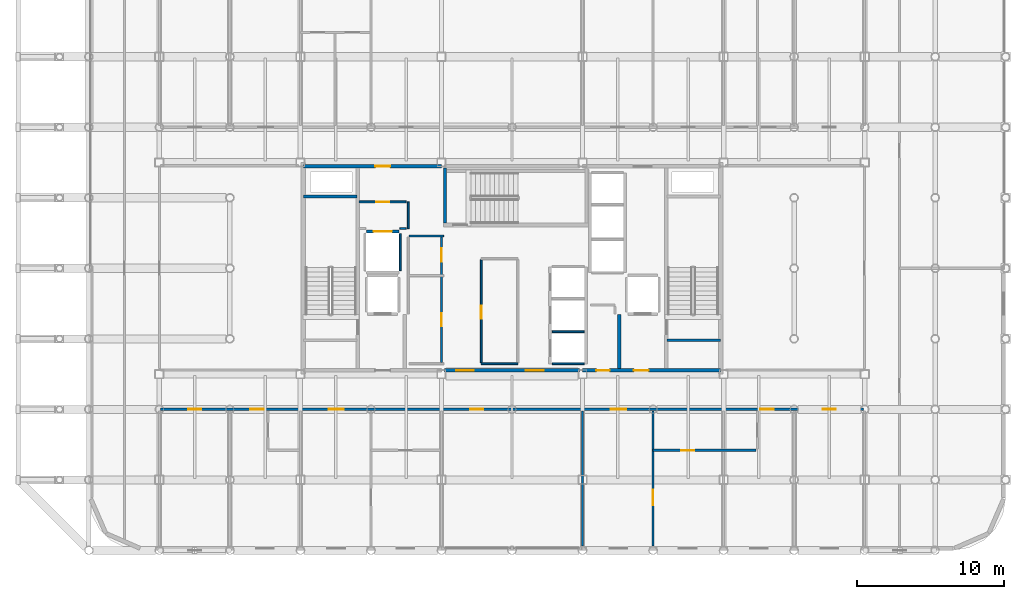
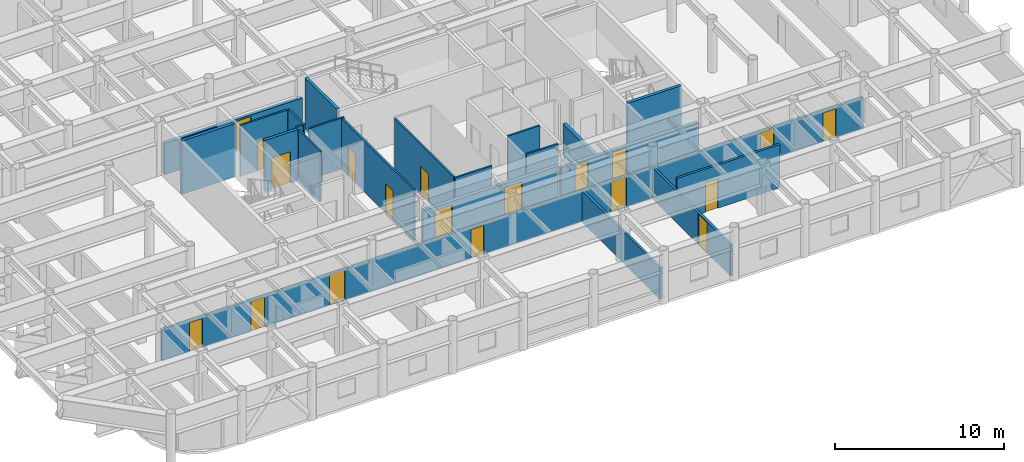
# One storey, part 23 of 27: 22 walls, 19 doors, 19 openings.
"""IFC4 building model written with IfcOpenShell, lengths in metres."""

from ifc_helpers import new_model, si_unit, direction, frame, frame_2d, origin, place, context, subcontext, project, spatial, rectangle, extrude, material, layer, layer_set, type_object, element, fill, save


model = new_model("IFC4")

# Units and contexts
model_context = context("Model", 3, precision=1e-05, world=origin(), true_north=direction((0.0, 1.0)))
body_context = subcontext(model_context, "Body", "Model", "MODEL_VIEW")
ifc_project = project(units=[si_unit("LENGTHUNIT", "METRE"), si_unit("AREAUNIT", "SQUARE_METRE"), si_unit("VOLUMEUNIT", "CUBIC_METRE"), si_unit("PLANEANGLEUNIT", "RADIAN"), si_unit("MASSUNIT", "GRAM", prefix="KILO")], contexts=[model_context])

# Site, building, storey
site_placement = place(None, origin())
site = spatial("IfcSite", under=ifc_project, at=site_placement, CompositionType="ELEMENT")
building_placement = place(site_placement, origin())
building = spatial("IfcBuilding", under=site, at=building_placement, Name="Kallvorn Hotel Tower", CompositionType="ELEMENT")
storey_placement = place(building_placement, frame((0.0, 0.0, 245.39990234375)))
storey = spatial("IfcBuildingStorey", under=building, at=storey_placement, Name="L61", CompositionType="ELEMENT", Elevation=245.39990234375)

# Wall, opening, door
ifc_material_1 = material(Name="Fire-rated double-layer acoustic gypsum drywall EI 60")
ifc_layer_1 = layer(ifc_material_1, 0.159912109375)
ifc_layer_set_1 = layer_set([ifc_layer_1], Name="WL_DEMISE_160")
wall_type_1 = type_object("IfcWallType", Name="WL_DEMISE_160", PredefinedType="PARTITIONING", material=ifc_layer_set_1)
wall_1_placement = place(storey_placement, frame((9.60009765625, -12.39501953125, 0.0), z_axis=(0.0, 0.0, 1.0), x_axis=(1.0, 0.0, 0.0)))
wall_1 = element("IfcWall", 1, at=wall_1_placement, inside=storey, type_object=wall_type_1, Name="L61 Suite 6103 Executive Bedroom Partition", PredefinedType="PARTITIONING", context=body_context, shape_type="SweptSolid", body=[
    extrude(rectangle(XDim=7.010009765625, YDim=0.159912109375, at=frame_2d((3.5048828125, 0.0))), origin(), (0.0, 0.0, 1.0), 3.1201171875),
])
opening_1_placement = place(wall_1_placement, frame((1.929931640625, 0.0, 0.0)))
opening_1 = element("IfcOpeningElement", 2, at=opening_1_placement, cuts=wall_1, Name="Opening BD-I", PredefinedType="OPENING", context=body_context, shape_type="SweptSolid", body=[
    extrude(rectangle(XDim=0.860107421875, YDim=2.10009765625, at=frame_2d((0.43017578125, 1.050048828125))), frame((0.0, 0.094970703125, 0.0), z_axis=(0.0, -1.0, 0.0), x_axis=(1.0, 0.0, 0.0)), (0.0, 0.0, 1.0), 0.18994140625),
])
ifc_material_2 = material(Name="Solid-core walnut veneer fire-rated timber door leaf", Category="wood")
door_type_1 = type_object("IfcDoorType", Name="DR_BATH_860x2100", OperationType="NOTDEFINED", PredefinedType="DOOR", material=ifc_material_2)
door_1_placement = place(opening_1_placement, origin())
door_1 = element("IfcDoor", 3, at=door_1_placement, inside=storey, type_object=door_type_1, Name="L61 Suite 6103 En-Suite Bathroom Door", OperationType="SINGLE_SWING_LEFT", OverallHeight=2.10009765625, OverallWidth=0.860107421875, PredefinedType="DOOR", context=body_context, shape_type="SweptSolid", body=[
    extrude(rectangle(XDim=0.860107421875, YDim=2.10009765625, at=frame_2d((0.43017578125, 1.050048828125))), frame((0.0, 0.02490234375, 0.0), z_axis=(0.0, -1.0, 0.0), x_axis=(1.0, 0.0, 0.0)), (0.0, 0.0, 1.0), 0.050048828125),
])
fill(opening_1, door_1)

# Wall, openings, doors
wall_2_placement = place(storey_placement, frame((-23.919921875, -9.60009765625, 0.0), z_axis=(0.0, 0.0, 1.0), x_axis=(1.0, 0.0, 0.0)))
wall_2 = element("IfcWall", 4, at=wall_2_placement, inside=storey, type_object=wall_type_1, Name="L61 Suite 6101 Superior Twin Room Partition", PredefinedType="PARTITIONING", context=body_context, shape_type="SweptSolid", body=[
    extrude(rectangle(XDim=47.83984375, YDim=0.159912109375, at=frame_2d((23.919921875, 0.0))), origin(), (0.0, 0.0, 1.0), 2.27001953125),
])
opening_2_placement = place(wall_2_placement, frame((1.8701171875, 0.0, 0.0)))
opening_2 = element("IfcOpeningElement", 5, at=opening_2_placement, cuts=wall_2, Name="Opening SVD1", PredefinedType="OPENING", context=body_context, shape_type="SweptSolid", body=[
    extrude(rectangle(XDim=0.89990234375, YDim=2.10009765625, at=frame_2d((0.449951171875, 1.050048828125))), frame((0.0, 0.094970703125, 0.0), z_axis=(0.0, -1.0, 0.0), x_axis=(1.0, 0.0, 0.0)), (0.0, 0.0, 1.0), 0.18994140625),
])
opening_3_placement = place(wall_2_placement, frame((45.070068359375, 0.0, 0.0)))
opening_3 = element("IfcOpeningElement", 6, at=opening_3_placement, cuts=wall_2, Name="Opening SVD1", PredefinedType="OPENING", context=body_context, shape_type="SweptSolid", body=[
    extrude(rectangle(XDim=0.89990234375, YDim=2.10009765625, at=frame_2d((0.449951171875, 1.050048828125))), frame((0.0, 0.094970703125, 0.0), z_axis=(0.0, -1.0, 0.0), x_axis=(1.0, 0.0, 0.0)), (0.0, 0.0, 1.0), 0.18994140625),
])
opening_4_placement = place(wall_2_placement, frame((6.090087890625, 0.0, 0.0)))
opening_4 = element("IfcOpeningElement", 7, at=opening_4_placement, cuts=wall_2, Name="Opening GD1", PredefinedType="OPENING", context=body_context, shape_type="SweptSolid", body=[
    extrude(rectangle(XDim=0.919921875, YDim=2.14990234375, at=frame_2d((0.4599609375, 1.074951171875))), frame((0.0, 0.094970703125, 0.0), z_axis=(0.0, -1.0, 0.0), x_axis=(1.0, 0.0, 0.0)), (0.0, 0.0, 1.0), 0.18994140625),
])
opening_5_placement = place(wall_2_placement, frame((11.43505859375, 0.0, 0.0)))
opening_5 = element("IfcOpeningElement", 8, at=opening_5_placement, cuts=wall_2, Name="Opening GD2", PredefinedType="OPENING", context=body_context, shape_type="SweptSolid", body=[
    extrude(rectangle(XDim=1.050048828125, YDim=2.199951171875, at=frame_2d((0.52490234375, 1.10009765625))), frame((0.0, 0.094970703125, 0.0), z_axis=(0.0, -1.0, 0.0), x_axis=(1.0, 0.0, 0.0)), (0.0, 0.0, 1.0), 0.18994140625),
])
opening_6_placement = place(wall_2_placement, frame((21.070068359375, 0.0, 0.0)))
opening_6 = element("IfcOpeningElement", 9, at=opening_6_placement, cuts=wall_2, Name="Opening SVD1", PredefinedType="OPENING", context=body_context, shape_type="SweptSolid", body=[
    extrude(rectangle(XDim=0.89990234375, YDim=2.10009765625, at=frame_2d((0.449951171875, 1.050048828125))), frame((0.0, 0.094970703125, 0.0), z_axis=(0.0, -1.0, 0.0), x_axis=(1.0, 0.0, 0.0)), (0.0, 0.0, 1.0), 0.18994140625),
])
opening_7_placement = place(wall_2_placement, frame((30.635009765625, 0.0, 0.0)))
opening_7 = element("IfcOpeningElement", 10, at=opening_7_placement, cuts=wall_2, Name="Opening GD2", PredefinedType="OPENING", context=body_context, shape_type="SweptSolid", body=[
    extrude(rectangle(XDim=1.050048828125, YDim=2.199951171875, at=frame_2d((0.52490234375, 1.10009765625))), frame((0.0, 0.094970703125, 0.0), z_axis=(0.0, -1.0, 0.0), x_axis=(1.0, 0.0, 0.0)), (0.0, 0.0, 1.0), 0.18994140625),
])
opening_8_placement = place(wall_2_placement, frame((40.830078125, 0.0, 0.0)))
opening_8 = element("IfcOpeningElement", 11, at=opening_8_placement, cuts=wall_2, Name="Opening GD1", PredefinedType="OPENING", context=body_context, shape_type="SweptSolid", body=[
    extrude(rectangle(XDim=0.919921875, YDim=2.14990234375, at=frame_2d((0.4599609375, 1.074951171875))), frame((0.0, 0.094970703125, 0.0), z_axis=(0.0, -1.0, 0.0), x_axis=(1.0, 0.0, 0.0)), (0.0, 0.0, 1.0), 0.18994140625),
])
ifc_material_3 = material(Name="Solid-core walnut veneer fire-rated timber door leaf", Category="wood")
door_type_2 = type_object("IfcDoorType", Name="DR_GUEST_920x2150", OperationType="NOTDEFINED", PredefinedType="DOOR", material=ifc_material_3)
door_2_placement = place(opening_4_placement, origin())
door_2 = element("IfcDoor", 12, at=door_2_placement, inside=storey, type_object=door_type_2, Name="L61 Suite 6101 Superior Twin Room Door", OperationType="SINGLE_SWING_LEFT", OverallHeight=2.14990234375, OverallWidth=0.919921875, PredefinedType="DOOR", context=body_context, shape_type="SweptSolid", body=[
    extrude(rectangle(XDim=0.919921875, YDim=2.14990234375, at=frame_2d((0.4599609375, 1.074951171875))), frame((0.0, 0.02490234375, 0.0), z_axis=(0.0, -1.0, 0.0), x_axis=(1.0, 0.0, 0.0)), (0.0, 0.0, 1.0), 0.050048828125),
])
fill(opening_4, door_2)
door_3_placement = place(opening_8_placement, origin())
door_3 = element("IfcDoor", 13, at=door_3_placement, inside=storey, type_object=door_type_2, Name="L61 Suite 6104 Deluxe King Room Door", OperationType="SINGLE_SWING_LEFT", OverallHeight=2.14990234375, OverallWidth=0.919921875, PredefinedType="DOOR", context=body_context, shape_type="SweptSolid", body=[
    extrude(rectangle(XDim=0.919921875, YDim=2.14990234375, at=frame_2d((0.4599609375, 1.074951171875))), frame((0.0, 0.02490234375, 0.0), z_axis=(0.0, -1.0, 0.0), x_axis=(1.0, 0.0, 0.0)), (0.0, 0.0, 1.0), 0.050048828125),
])
fill(opening_8, door_3)
ifc_material_4 = material(Name="Galvanised painted steel fire-rated door assembly", Category="steel")
door_type_3 = type_object("IfcDoorType", Name="DR_SERV_900x2100", OperationType="NOTDEFINED", PredefinedType="DOOR", material=ifc_material_4)
door_4_placement = place(opening_2_placement, origin())
door_4 = element("IfcDoor", 14, at=door_4_placement, inside=storey, type_object=door_type_3, Name="L61 L61 High-Zone South-West Tea Bar Door", OperationType="SINGLE_SWING_RIGHT", OverallHeight=2.10009765625, OverallWidth=0.89990234375, PredefinedType="DOOR", context=body_context, shape_type="SweptSolid", body=[
    extrude(rectangle(XDim=0.89990234375, YDim=2.10009765625, at=frame_2d((0.449951171875, 1.050048828125))), frame((0.0, 0.02490234375, 0.0), z_axis=(0.0, -1.0, 0.0), x_axis=(1.0, 0.0, 0.0)), (0.0, 0.0, 1.0), 0.050048828125),
])
fill(opening_2, door_4)
door_5_placement = place(opening_3_placement, origin())
door_5 = element("IfcDoor", 15, at=door_5_placement, inside=storey, type_object=door_type_3, Name="L61 L61 High-Zone South-East Wine Bar Door", OperationType="SINGLE_SWING_RIGHT", OverallHeight=2.10009765625, OverallWidth=0.89990234375, PredefinedType="DOOR", context=body_context, shape_type="SweptSolid", body=[
    extrude(rectangle(XDim=0.89990234375, YDim=2.10009765625, at=frame_2d((0.449951171875, 1.050048828125))), frame((0.0, 0.02490234375, 0.0), z_axis=(0.0, -1.0, 0.0), x_axis=(1.0, 0.0, 0.0)), (0.0, 0.0, 1.0), 0.050048828125),
])
fill(opening_3, door_5)
door_6_placement = place(opening_6_placement, origin())
door_6 = element("IfcDoor", 16, at=door_6_placement, inside=storey, type_object=door_type_3, Name="L61 L61 Curated Emerald Craft Retail Boutique 3 Door", OperationType="SINGLE_SWING_LEFT", OverallHeight=2.10009765625, OverallWidth=0.89990234375, PredefinedType="DOOR", context=body_context, shape_type="SweptSolid", body=[
    extrude(rectangle(XDim=0.89990234375, YDim=2.10009765625, at=frame_2d((0.449951171875, 1.050048828125))), frame((0.0, 0.02490234375, 0.0), z_axis=(0.0, -1.0, 0.0), x_axis=(1.0, 0.0, 0.0)), (0.0, 0.0, 1.0), 0.050048828125),
])
fill(opening_6, door_6)
ifc_material_5 = material(Name="Solid-core walnut veneer fire-rated timber door leaf", Category="wood")
door_type_4 = type_object("IfcDoorType", Name="DR_SUITE_1050x2200", OperationType="NOTDEFINED", PredefinedType="DOOR", material=ifc_material_5)
door_7_placement = place(opening_5_placement, origin())
door_7 = element("IfcDoor", 17, at=door_7_placement, inside=storey, type_object=door_type_4, Name="L61 Suite 6102 Executive Living Salon Door", OperationType="SINGLE_SWING_LEFT", OverallHeight=2.199951171875, OverallWidth=1.050048828125, PredefinedType="DOOR", context=body_context, shape_type="SweptSolid", body=[
    extrude(rectangle(XDim=1.050048828125, YDim=2.199951171875, at=frame_2d((0.52490234375, 1.10009765625))), frame((0.0, 0.02490234375, 0.0), z_axis=(0.0, -1.0, 0.0), x_axis=(1.0, 0.0, 0.0)), (0.0, 0.0, 1.0), 0.050048828125),
])
fill(opening_5, door_7)
door_8_placement = place(opening_7_placement, origin())
door_8 = element("IfcDoor", 18, at=door_8_placement, inside=storey, type_object=door_type_4, Name="L61 Suite 6103 Executive Living Salon Door", OperationType="SINGLE_SWING_LEFT", OverallHeight=2.199951171875, OverallWidth=1.050048828125, PredefinedType="DOOR", context=body_context, shape_type="SweptSolid", body=[
    extrude(rectangle(XDim=1.050048828125, YDim=2.199951171875, at=frame_2d((0.52490234375, 1.10009765625))), frame((0.0, 0.02490234375, 0.0), z_axis=(0.0, -1.0, 0.0), x_axis=(1.0, 0.0, 0.0)), (0.0, 0.0, 1.0), 0.050048828125),
])
fill(opening_7, door_8)

# Wall
wall_3_placement = place(storey_placement, frame((4.800048828125, -18.909912109375, 0.0), z_axis=(0.0, 0.0, 1.0), x_axis=(0.0, 1.0, 0.0)))
element("IfcWall", 19, at=wall_3_placement, inside=storey, type_object=wall_type_1, Name="L61 Suite 6103 Executive Living Salon Partition", PredefinedType="PARTITIONING", context=body_context, shape_type="SweptSolid", body=[
    extrude(rectangle(XDim=9.18994140625, YDim=0.159912109375, at=frame_2d((4.594970703125, 0.0))), origin(), (0.0, 0.0, 1.0), 2.27001953125),
])

# Wall, opening, door
wall_4_placement = place(storey_placement, frame((9.60009765625, -18.909912109375, 0.0), z_axis=(0.0, 0.0, 1.0), x_axis=(0.0, 1.0, 0.0)))
wall_4 = element("IfcWall", 20, at=wall_4_placement, inside=storey, type_object=wall_type_1, Name="L61 Suite 6103 Executive Bedroom Partition", PredefinedType="PARTITIONING", context=body_context, shape_type="SweptSolid", body=[
    extrude(rectangle(XDim=9.18994140625, YDim=0.159912109375, at=frame_2d((4.594970703125, 0.0))), origin(), (0.0, 0.0, 1.0), 2.27001953125),
])
opening_9_placement = place(wall_4_placement, frame((2.77490234375, 0.0, 0.0)))
opening_9 = element("IfcOpeningElement", 21, at=opening_9_placement, cuts=wall_4, Name="Opening GD2", PredefinedType="OPENING", context=body_context, shape_type="SweptSolid", body=[
    extrude(rectangle(XDim=1.050048828125, YDim=2.199951171875, at=frame_2d((0.52490234375, 1.10009765625))), frame((0.0, 0.094970703125, 0.0), z_axis=(0.0, -1.0, 0.0), x_axis=(1.0, 0.0, 0.0)), (0.0, 0.0, 1.0), 0.18994140625),
])
door_9_placement = place(opening_9_placement, origin())
door_9 = element("IfcDoor", 22, at=door_9_placement, inside=storey, type_object=door_type_4, Name="L61 Suite 6103 Executive Bedroom Door", OperationType="SINGLE_SWING_LEFT", OverallHeight=2.199951171875, OverallWidth=1.050048828125, PredefinedType="DOOR", context=body_context, shape_type="SweptSolid", body=[
    extrude(rectangle(XDim=1.050048828125, YDim=2.199951171875, at=frame_2d((0.52490234375, 1.10009765625))), frame((0.0, 0.02490234375, 0.0), z_axis=(0.0, -1.0, 0.0), x_axis=(1.0, 0.0, 0.0)), (0.0, 0.0, 1.0), 0.050048828125),
])
fill(opening_9, door_9)

# Walls
ifc_material_6 = material(Name="Concrete C40/50", Category="concrete")
ifc_layer_2 = layer(ifc_material_6, 0.219970703125)
ifc_layer_set_2 = layer_set([ifc_layer_2], Name="WL_FFL_220")
wall_type_2 = type_object("IfcWallType", Name="WL_FFL_220", PredefinedType="SOLIDWALL", material=ifc_layer_set_2)
wall_5_placement = place(storey_placement, frame((7.300048828125, -6.820068359375, 0.0), z_axis=(0.0, 0.0, 1.0), x_axis=(0.0, 1.0, 0.0)))
element("IfcWall", 23, at=wall_5_placement, inside=storey, type_object=wall_type_2, Name="L61 Firefighting Lobby East Divider Wall", PredefinedType="SOLIDWALL", context=body_context, shape_type="SweptSolid", body=[
    extrude(rectangle(XDim=3.670166015625, YDim=0.219970703125, at=frame_2d((1.8349609375, 0.0))), origin(), (0.0, 0.0, 1.0), 2.27001953125),
])
ifc_material_7 = material(Name="Concrete C40/50", Category="concrete")
ifc_layer_3 = layer(ifc_material_7, 0.199951171875)
ifc_layer_set_3 = layer_set([ifc_layer_3], Name="WL_HOIST_200")
wall_type_3 = type_object("IfcWallType", Name="WL_HOIST_200", PredefinedType="SOLIDWALL", material=ifc_layer_set_3)
for number, where, z_axis, x_axis, name in (
    (24, (-14.199951171875, 4.89990234375, -0.179931640625), (0.0, 0.0, 1.0), (1.0, 0.0, 0.0), "L61 Stair ST1 North Wall"),
    (25, (10.550048828125, -4.89990234375, -0.179931640625), (0.0, 0.0, 1.0), (1.0, 0.0, 0.0), "L61 Stair ST2 South Wall"),
):
    element("IfcWall", number, at=place(storey_placement, frame(where, z_axis=z_axis, x_axis=x_axis)), inside=storey, type_object=wall_type_3, Name=name, PredefinedType="SOLIDWALL", context=body_context, shape_type="SweptSolid", body=[
        extrude(rectangle(XDim=3.64990234375, YDim=0.199951171875, at=frame_2d((1.824951171875, 0.0))), origin(), (0.0, 0.0, 1.0), 3.85009765625),
    ])
wall_6_placement = place(storey_placement, frame((-4.550048828125, 3.080078125, -0.179931640625), z_axis=(0.0, 0.0, 1.0), x_axis=(0.0, 1.0, 0.0)))
element("IfcWall", 26, at=wall_6_placement, inside=storey, type_object=wall_type_3, Name="L61 Stair ST3 West Wall", PredefinedType="SOLIDWALL", context=body_context, shape_type="SweptSolid", body=[
    extrude(rectangle(XDim=3.739990234375, YDim=0.199951171875, at=frame_2d((1.8701171875, 0.0))), origin(), (0.0, 0.0, 1.0), 3.85009765625),
])

# Wall, opening, door
wall_7_placement = place(storey_placement, frame((-9.919921875, 2.5, 0.0), z_axis=(0.0, 0.0, 1.0), x_axis=(1.0, 0.0, 0.0)))
wall_7 = element("IfcWall", 27, at=wall_7_placement, inside=storey, type_object=wall_type_3, Name="L61 SV-01 Landing Wall", PredefinedType="SOLIDWALL", context=body_context, shape_type="SweptSolid", body=[
    extrude(rectangle(XDim=2.239990234375, YDim=0.199951171875, at=frame_2d((1.1201171875, 0.0))), origin(), (0.0, 0.0, 1.0), 3.670166015625),
])
opening_10_placement = place(wall_7_placement, frame((0.4951171875, 0.0, 0.0)))
opening_10 = element("IfcOpeningElement", 28, at=opening_10_placement, cuts=wall_7, Name="Opening LD-SV-01", PredefinedType="OPENING", context=body_context, shape_type="SweptSolid", body=[
    extrude(rectangle(XDim=1.25, YDim=2.25, at=frame_2d((0.625, 1.125))), frame((0.0, 0.114990234375, 0.0), z_axis=(0.0, -1.0, 0.0), x_axis=(1.0, 0.0, 0.0)), (0.0, 0.0, 1.0), 0.22998046875),
])
ifc_material_8 = material(Name="Brushed stainless-steel automatic sliding lift landing door", Category="steel")
door_type_5 = type_object("IfcDoorType", Name="LD_SERV_1250x2250", OperationType="SLIDING_TO_LEFT", PredefinedType="DOOR", material=ifc_material_8)
door_10_placement = place(opening_10_placement, origin())
door_10 = element("IfcDoor", 29, at=door_10_placement, inside=storey, type_object=door_type_5, Name="L61 Lift Landing Sliding Door LD-SV-01", OperationType="SLIDING_TO_LEFT", OverallHeight=2.25, OverallWidth=1.25, PredefinedType="DOOR", context=body_context, shape_type="SweptSolid", body=[
    extrude(rectangle(XDim=1.25, YDim=2.25, at=frame_2d((0.625, 1.125))), frame((0.0, 0.02490234375, 0.0), z_axis=(0.0, -1.0, 0.0), x_axis=(1.0, 0.0, 0.0)), (0.0, 0.0, 1.0), 0.050048828125),
])
fill(opening_10, door_10)

# Walls
ifc_material_9 = material(Name="Fire-rated double-layer acoustic gypsum drywall EI 60")
ifc_layer_4 = layer(ifc_material_9, 0.1201171875)
ifc_layer_set_4 = layer_set([ifc_layer_4], Name="WL_INT_120")
wall_type_4 = type_object("IfcWallType", Name="WL_INT_120", PredefinedType="PARTITIONING", material=ifc_layer_set_4)
for number, where, z_axis, x_axis, name in (
    (30, (2.739990234375, -6.5, 0.0), (0.0, 0.0, 1.0), (1.0, 0.0, 0.0), "L61 Lift Bank B3A South Closure Wall"),
    (31, (2.739990234375, -4.324951171875, 0.0), (0.0, 0.0, 1.0), (1.0, 0.0, 0.0), "L61 PL-09 Hoistway Divider"),
):
    element("IfcWall", number, at=place(storey_placement, frame(where, z_axis=z_axis, x_axis=x_axis)), inside=storey, type_object=wall_type_4, Name=name, PredefinedType="PARTITIONING", context=body_context, shape_type="SweptSolid", body=[
        extrude(rectangle(XDim=2.169921875, YDim=0.1201171875, at=frame_2d((1.0849609375, 0.0))), origin(), (0.0, 0.0, 1.0), 3.670166015625),
    ])
wall_8_placement = place(storey_placement, frame((-7.60009765625, -0.159912109375, 0.0), z_axis=(0.0, 0.0, 1.0), x_axis=(0.0, 1.0, 0.0)))
element("IfcWall", 32, at=wall_8_placement, inside=storey, type_object=wall_type_4, Name="L61 SV-01 East Shaft Wall", PredefinedType="PARTITIONING", context=body_context, shape_type="SweptSolid", body=[
    extrude(rectangle(XDim=2.52001953125, YDim=0.1201171875, at=frame_2d((1.260009765625, 0.0))), origin(), (0.0, 0.0, 1.0), 3.670166015625),
])
wall_9_placement = place(storey_placement, frame((-2.10009765625, -6.5, 0.0), z_axis=(0.0, 0.0, 1.0), x_axis=(1.0, 0.0, 0.0)))
element("IfcWall", 33, at=wall_9_placement, inside=storey, type_object=wall_type_4, Name="L61 High-Zone IT and Tableware Reserve Room Partition", PredefinedType="PARTITIONING", context=body_context, shape_type="SweptSolid", body=[
    extrude(rectangle(XDim=2.5, YDim=0.1201171875, at=frame_2d((1.25, 0.0))), origin(), (0.0, 0.0, 1.0), 3.670166015625),
])
wall_10_placement = place(storey_placement, frame((-7.0, 2.199951171875, 0.0), z_axis=(0.0, 0.0, 1.0), x_axis=(1.0, 0.0, 0.0)))
element("IfcWall", 34, at=wall_10_placement, inside=storey, type_object=wall_type_4, Name="L61 Recaptured Housekeeping Prep Room Partition", PredefinedType="PARTITIONING", context=body_context, shape_type="SweptSolid", body=[
    extrude(rectangle(XDim=2.35009765625, YDim=0.1201171875, at=frame_2d((1.175048828125, 0.0))), origin(), (0.0, 0.0, 1.0), 3.670166015625),
])
wall_11_placement = place(storey_placement, frame((-7.639892578125, 2.699951171875, 0.0), z_axis=(0.0, 0.0, 1.0), x_axis=(1.0, 0.0, 0.0)))
element("IfcWall", 35, at=wall_11_placement, inside=storey, type_object=wall_type_4, Name="L61 Core Telecom and Metering Store Partition", PredefinedType="PARTITIONING", context=body_context, shape_type="SweptSolid", body=[
    extrude(rectangle(XDim=0.43994140625, YDim=0.1201171875, at=frame_2d((0.219970703125, 0.0))), origin(), (0.0, 0.0, 1.0), 3.670166015625),
])

# Wall, opening, door
wall_12_placement = place(storey_placement, frame((-10.39990234375, 4.52001953125, 0.0), z_axis=(0.0, 0.0, 1.0), x_axis=(1.0, 0.0, 0.0)))
wall_12 = element("IfcWall", 36, at=wall_12_placement, inside=storey, type_object=wall_type_4, Name="L61 Core Telecom and Metering Store Partition", PredefinedType="PARTITIONING", context=body_context, shape_type="SweptSolid", body=[
    extrude(rectangle(XDim=3.199951171875, YDim=0.1201171875, at=frame_2d((1.60009765625, 0.0))), origin(), (0.0, 0.0, 1.0), 3.670166015625),
])
opening_11_placement = place(wall_12_placement, frame((1.14990234375, 0.0, 0.0)))
opening_11 = element("IfcOpeningElement", 37, at=opening_11_placement, cuts=wall_12, Name="Opening SVD1", PredefinedType="OPENING", context=body_context, shape_type="SweptSolid", body=[
    extrude(rectangle(XDim=0.89990234375, YDim=2.10009765625, at=frame_2d((0.449951171875, 1.050048828125))), frame((0.0, 0.074951171875, 0.0), z_axis=(0.0, -1.0, 0.0), x_axis=(1.0, 0.0, 0.0)), (0.0, 0.0, 1.0), 0.150146484375),
])
door_11_placement = place(opening_11_placement, origin())
door_11 = element("IfcDoor", 38, at=door_11_placement, inside=storey, type_object=door_type_3, Name="L61 Core Telecom and Metering Store Door", OperationType="SINGLE_SWING_LEFT", OverallHeight=2.10009765625, OverallWidth=0.89990234375, PredefinedType="DOOR", context=body_context, shape_type="SweptSolid", body=[
    extrude(rectangle(XDim=0.89990234375, YDim=2.10009765625, at=frame_2d((0.449951171875, 1.050048828125))), frame((0.0, 0.02490234375, 0.0), z_axis=(0.0, -1.0, 0.0), x_axis=(1.0, 0.0, 0.0)), (0.0, 0.0, 1.0), 0.050048828125),
])
fill(opening_11, door_11)

# Wall
wall_13_placement = place(storey_placement, frame((-7.066650390625, 2.699951171875, 0.0), z_axis=(0.0, 0.0, 1.0), x_axis=(0.0, 1.0, 0.0)))
element("IfcWall", 39, at=wall_13_placement, inside=storey, type_object=wall_type_4, Name="L61 Core Telecom and Metering Store Partition", PredefinedType="PARTITIONING", context=body_context, shape_type="SweptSolid", body=[
    extrude(rectangle(XDim=1.820068359375, YDim=0.1201171875, at=frame_2d((0.91015625, 0.0))), origin(), (0.0, 0.0, 1.0), 3.670166015625),
])

# Wall, openings, doors
wall_14_placement = place(storey_placement, frame((-4.800048828125, -6.4150390625, 0.0), z_axis=(0.0, 0.0, 1.0), x_axis=(0.0, 1.0, 0.0)))
wall_14 = element("IfcWall", 40, at=wall_14_placement, inside=storey, type_object=wall_type_4, Name="L61 Recaptured Full-Depth Sommelier Store Partition", PredefinedType="PARTITIONING", context=body_context, shape_type="SweptSolid", body=[
    extrude(rectangle(XDim=8.530029296875, YDim=0.1201171875, at=frame_2d((4.26513671875, 0.0))), origin(), (0.0, 0.0, 1.0), 3.670166015625),
])
opening_12_placement = place(wall_14_placement, frame((2.465087890625, 0.0, 0.0)))
opening_12 = element("IfcOpeningElement", 41, at=opening_12_placement, cuts=wall_14, Name="Opening SVD1", PredefinedType="OPENING", context=body_context, shape_type="SweptSolid", body=[
    extrude(rectangle(XDim=0.89990234375, YDim=2.10009765625, at=frame_2d((0.449951171875, 1.050048828125))), frame((0.0, 0.074951171875, 0.0), z_axis=(0.0, -1.0, 0.0), x_axis=(1.0, 0.0, 0.0)), (0.0, 0.0, 1.0), 0.150146484375),
])
opening_13_placement = place(wall_14_placement, frame((6.864990234375, 0.0, 0.0)))
opening_13 = element("IfcOpeningElement", 42, at=opening_13_placement, cuts=wall_14, Name="Opening SVD1", PredefinedType="OPENING", context=body_context, shape_type="SweptSolid", body=[
    extrude(rectangle(XDim=0.89990234375, YDim=2.10009765625, at=frame_2d((0.449951171875, 1.050048828125))), frame((0.0, 0.074951171875, 0.0), z_axis=(0.0, -1.0, 0.0), x_axis=(1.0, 0.0, 0.0)), (0.0, 0.0, 1.0), 0.150146484375),
])
door_12_placement = place(opening_12_placement, origin())
door_12 = element("IfcDoor", 43, at=door_12_placement, inside=storey, type_object=door_type_3, Name="L61 Recaptured Full-Depth Sommelier Store Door", OperationType="SINGLE_SWING_RIGHT", OverallHeight=2.10009765625, OverallWidth=0.89990234375, PredefinedType="DOOR", context=body_context, shape_type="SweptSolid", body=[
    extrude(rectangle(XDim=0.89990234375, YDim=2.10009765625, at=frame_2d((0.449951171875, 1.050048828125))), frame((0.0, 0.02490234375, 0.0), z_axis=(0.0, -1.0, 0.0), x_axis=(1.0, 0.0, 0.0)), (0.0, 0.0, 1.0), 0.050048828125),
])
fill(opening_12, door_12)
door_13_placement = place(opening_13_placement, origin())
door_13 = element("IfcDoor", 44, at=door_13_placement, inside=storey, type_object=door_type_3, Name="L61 Recaptured Housekeeping Prep Room Door", OperationType="SINGLE_SWING_RIGHT", OverallHeight=2.10009765625, OverallWidth=0.89990234375, PredefinedType="DOOR", context=body_context, shape_type="SweptSolid", body=[
    extrude(rectangle(XDim=0.89990234375, YDim=2.10009765625, at=frame_2d((0.449951171875, 1.050048828125))), frame((0.0, 0.02490234375, 0.0), z_axis=(0.0, -1.0, 0.0), x_axis=(1.0, 0.0, 0.0)), (0.0, 0.0, 1.0), 0.050048828125),
])
fill(opening_13, door_13)

# Wall, opening, door
wall_15_placement = place(storey_placement, frame((-2.10009765625, -6.4150390625, 0.0), z_axis=(0.0, 0.0, 1.0), x_axis=(0.0, 1.0, 0.0)))
wall_15 = element("IfcWall", 45, at=wall_15_placement, inside=storey, type_object=wall_type_4, Name="L61 High-Zone IT and Tableware Reserve Room Partition", PredefinedType="PARTITIONING", context=body_context, shape_type="SweptSolid", body=[
    extrude(rectangle(XDim=6.97998046875, YDim=0.1201171875, at=frame_2d((3.489990234375, 0.0))), origin(), (0.0, 0.0, 1.0), 3.670166015625),
])
opening_14_placement = place(wall_15_placement, frame((2.965087890625, 0.0, 0.0)))
opening_14 = element("IfcOpeningElement", 46, at=opening_14_placement, cuts=wall_15, Name="Opening SVD1", PredefinedType="OPENING", context=body_context, shape_type="SweptSolid", body=[
    extrude(rectangle(XDim=0.89990234375, YDim=2.10009765625, at=frame_2d((0.449951171875, 1.050048828125))), frame((0.0, 0.074951171875, 0.0), z_axis=(0.0, -1.0, 0.0), x_axis=(1.0, 0.0, 0.0)), (0.0, 0.0, 1.0), 0.150146484375),
])
door_14_placement = place(opening_14_placement, origin())
door_14 = element("IfcDoor", 47, at=door_14_placement, inside=storey, type_object=door_type_3, Name="L61 High-Zone IT and Tableware Reserve Room Door", OperationType="SINGLE_SWING_RIGHT", OverallHeight=2.10009765625, OverallWidth=0.89990234375, PredefinedType="DOOR", context=body_context, shape_type="SweptSolid", body=[
    extrude(rectangle(XDim=0.89990234375, YDim=2.10009765625, at=frame_2d((0.449951171875, 1.050048828125))), frame((0.0, 0.02490234375, 0.0), z_axis=(0.0, -1.0, 0.0), x_axis=(1.0, 0.0, 0.0)), (0.0, 0.0, 1.0), 0.050048828125),
])
fill(opening_14, door_14)

# Wall, openings, doors
ifc_material_10 = material(Name="Concrete C40/50", Category="concrete")
ifc_layer_5 = layer(ifc_material_10, 0.25)
ifc_layer_set_5 = layer_set([ifc_layer_5], Name="WL_SHAFT_250")
wall_type_5 = type_object("IfcWallType", Name="WL_SHAFT_250", PredefinedType="SOLIDWALL", material=ifc_layer_set_5)
wall_16_placement = place(storey_placement, frame((-4.60009765625, -6.949951171875, 0.0), z_axis=(0.0, 0.0, 1.0), x_axis=(1.0, 0.0, 0.0)))
wall_16 = element("IfcWall", 48, at=wall_16_placement, inside=storey, type_object=wall_type_5, Name="L61 Core South-Central Wall", PredefinedType="SOLIDWALL", context=body_context, shape_type="SweptSolid", body=[
    extrude(rectangle(XDim=9.2001953125, YDim=0.25, at=frame_2d((4.60009765625, 0.0))), origin(), (0.0, 0.0, 1.0), 2.47021484375),
])
opening_15_placement = place(wall_16_placement, frame((0.800048828125, 0.0, 0.0)))
opening_15 = element("IfcOpeningElement", 49, at=opening_15_placement, cuts=wall_16, Name="Opening FD2", PredefinedType="OPENING", context=body_context, shape_type="SweptSolid", body=[
    extrude(rectangle(XDim=1.199951171875, YDim=2.199951171875, at=frame_2d((0.60009765625, 1.10009765625))), frame((0.0, 0.139892578125, 0.0), z_axis=(0.0, -1.0, 0.0), x_axis=(1.0, 0.0, 0.0)), (0.0, 0.0, 1.0), 0.280029296875),
])
opening_16_placement = place(wall_16_placement, frame((5.550048828125, 0.0, 0.0)))
opening_16 = element("IfcOpeningElement", 50, at=opening_16_placement, cuts=wall_16, Name="Opening FD2", PredefinedType="OPENING", context=body_context, shape_type="SweptSolid", body=[
    extrude(rectangle(XDim=1.199951171875, YDim=2.199951171875, at=frame_2d((0.60009765625, 1.10009765625))), frame((0.0, 0.139892578125, 0.0), z_axis=(0.0, -1.0, 0.0), x_axis=(1.0, 0.0, 0.0)), (0.0, 0.0, 1.0), 0.280029296875),
])
ifc_material_11 = material(Name="Galvanised painted steel fire-rated door assembly", Category="steel")
door_type_6 = type_object("IfcDoorType", Name="DR_LOBBY_1200x2200", OperationType="DOUBLE_DOOR_SINGLE_SWING", PredefinedType="DOOR", material=ifc_material_11)
door_15_placement = place(opening_15_placement, origin())
door_15 = element("IfcDoor", 51, at=door_15_placement, inside=storey, type_object=door_type_6, Name="L61 West Passenger Lift Lobby Door", OperationType="DOUBLE_DOOR_SINGLE_SWING", OverallHeight=2.199951171875, OverallWidth=1.199951171875, PredefinedType="DOOR", context=body_context, shape_type="SweptSolid", body=[
    extrude(rectangle(XDim=1.199951171875, YDim=2.199951171875, at=frame_2d((0.60009765625, 1.10009765625))), frame((0.0, 0.02490234375, 0.0), z_axis=(0.0, -1.0, 0.0), x_axis=(1.0, 0.0, 0.0)), (0.0, 0.0, 1.0), 0.050048828125),
])
fill(opening_15, door_15)
door_16_placement = place(opening_16_placement, origin())
door_16 = element("IfcDoor", 52, at=door_16_placement, inside=storey, type_object=door_type_6, Name="L61 East Passenger Lift Lobby Door", OperationType="DOUBLE_DOOR_SINGLE_SWING", OverallHeight=2.199951171875, OverallWidth=1.199951171875, PredefinedType="DOOR", context=body_context, shape_type="SweptSolid", body=[
    extrude(rectangle(XDim=1.199951171875, YDim=2.199951171875, at=frame_2d((0.60009765625, 1.10009765625))), frame((0.0, 0.02490234375, 0.0), z_axis=(0.0, -1.0, 0.0), x_axis=(1.0, 0.0, 0.0)), (0.0, 0.0, 1.0), 0.050048828125),
])
fill(opening_16, door_16)

wall_17_placement = place(storey_placement, frame((4.800048828125, -6.949951171875, 0.0), z_axis=(0.0, 0.0, 1.0), x_axis=(1.0, 0.0, 0.0)))
wall_17 = element("IfcWall", 53, at=wall_17_placement, inside=storey, type_object=wall_type_5, Name="L61 Core South-East Wall", PredefinedType="SOLIDWALL", context=body_context, shape_type="SweptSolid", body=[
    extrude(rectangle(XDim=9.39990234375, YDim=0.25, at=frame_2d((4.699951171875, 0.0))), origin(), (0.0, 0.0, 1.0), 2.27001953125),
])
opening_17_placement = place(wall_17_placement, frame((3.5, 0.0, 0.0)))
opening_17 = element("IfcOpeningElement", 54, at=opening_17_placement, cuts=wall_17, Name="Opening FD1", PredefinedType="OPENING", context=body_context, shape_type="SweptSolid", body=[
    extrude(rectangle(XDim=1.0, YDim=2.14990234375, at=frame_2d((0.5, 1.074951171875))), frame((0.0, 0.139892578125, 0.0), z_axis=(0.0, -1.0, 0.0), x_axis=(1.0, 0.0, 0.0)), (0.0, 0.0, 1.0), 0.280029296875),
])
opening_18_placement = place(wall_17_placement, frame((0.949951171875, 0.0, 0.0)))
opening_18 = element("IfcOpeningElement", 55, at=opening_18_placement, cuts=wall_17, Name="Opening SVD1", PredefinedType="OPENING", context=body_context, shape_type="SweptSolid", body=[
    extrude(rectangle(XDim=0.89990234375, YDim=2.10009765625, at=frame_2d((0.449951171875, 1.050048828125))), frame((0.0, 0.139892578125, 0.0), z_axis=(0.0, -1.0, 0.0), x_axis=(1.0, 0.0, 0.0)), (0.0, 0.0, 1.0), 0.280029296875),
])
ifc_material_12 = material(Name="Galvanised painted steel fire-rated door assembly", Category="steel")
door_type_7 = type_object("IfcDoorType", Name="DR_FFL_1000x2150", OperationType="NOTDEFINED", PredefinedType="DOOR", material=ifc_material_12)
door_17_placement = place(opening_17_placement, origin())
door_17 = element("IfcDoor", 56, at=door_17_placement, inside=storey, type_object=door_type_7, Name="L61 Firefighting Lobby East Door", OperationType="SINGLE_SWING_RIGHT", OverallHeight=2.14990234375, OverallWidth=1.0, PredefinedType="DOOR", context=body_context, shape_type="SweptSolid", body=[
    extrude(rectangle(XDim=1.0, YDim=2.14990234375, at=frame_2d((0.5, 1.074951171875))), frame((0.0, 0.02490234375, 0.0), z_axis=(0.0, -1.0, 0.0), x_axis=(1.0, 0.0, 0.0)), (0.0, 0.0, 1.0), 0.050048828125),
])
fill(opening_17, door_17)
door_18_placement = place(opening_18_placement, origin())
door_18 = element("IfcDoor", 57, at=door_18_placement, inside=storey, type_object=door_type_3, Name="L61 Core Accessible Staff WC Door", OperationType="SINGLE_SWING_LEFT", OverallHeight=2.10009765625, OverallWidth=0.89990234375, PredefinedType="DOOR", context=body_context, shape_type="SweptSolid", body=[
    extrude(rectangle(XDim=0.89990234375, YDim=2.10009765625, at=frame_2d((0.449951171875, 1.050048828125))), frame((0.0, 0.02490234375, 0.0), z_axis=(0.0, -1.0, 0.0), x_axis=(1.0, 0.0, 0.0)), (0.0, 0.0, 1.0), 0.050048828125),
])
fill(opening_18, door_18)

# Wall, opening, door
wall_18_placement = place(storey_placement, frame((-14.199951171875, 6.949951171875, 0.0), z_axis=(0.0, 0.0, 1.0), x_axis=(1.0, 0.0, 0.0)))
wall_18 = element("IfcWall", 58, at=wall_18_placement, inside=storey, type_object=wall_type_5, Name="L61 Core North-West Wall", PredefinedType="SOLIDWALL", context=body_context, shape_type="SweptSolid", body=[
    extrude(rectangle(XDim=9.39990234375, YDim=0.25, at=frame_2d((4.699951171875, 0.0))), origin(), (0.0, 0.0, 1.0), 2.27001953125),
])
opening_19_placement = place(wall_18_placement, frame((4.89990234375, 0.0, 0.0)))
opening_19 = element("IfcOpeningElement", 59, at=opening_19_placement, cuts=wall_18, Name="Opening FD1", PredefinedType="OPENING", context=body_context, shape_type="SweptSolid", body=[
    extrude(rectangle(XDim=1.0, YDim=2.14990234375, at=frame_2d((0.5, 1.074951171875))), frame((0.0, 0.139892578125, 0.0), z_axis=(0.0, -1.0, 0.0), x_axis=(1.0, 0.0, 0.0)), (0.0, 0.0, 1.0), 0.280029296875),
])
door_19_placement = place(opening_19_placement, origin())
door_19 = element("IfcDoor", 60, at=door_19_placement, inside=storey, type_object=door_type_7, Name="L61 Service Lift Lobby Door", OperationType="SINGLE_SWING_LEFT", OverallHeight=2.14990234375, OverallWidth=1.0, PredefinedType="DOOR", context=body_context, shape_type="SweptSolid", body=[
    extrude(rectangle(XDim=1.0, YDim=2.14990234375, at=frame_2d((0.5, 1.074951171875))), frame((0.0, 0.02490234375, 0.0), z_axis=(0.0, -1.0, 0.0), x_axis=(1.0, 0.0, 0.0)), (0.0, 0.0, 1.0), 0.050048828125),
])
fill(opening_19, door_19)

save(model, "model.ifc")
